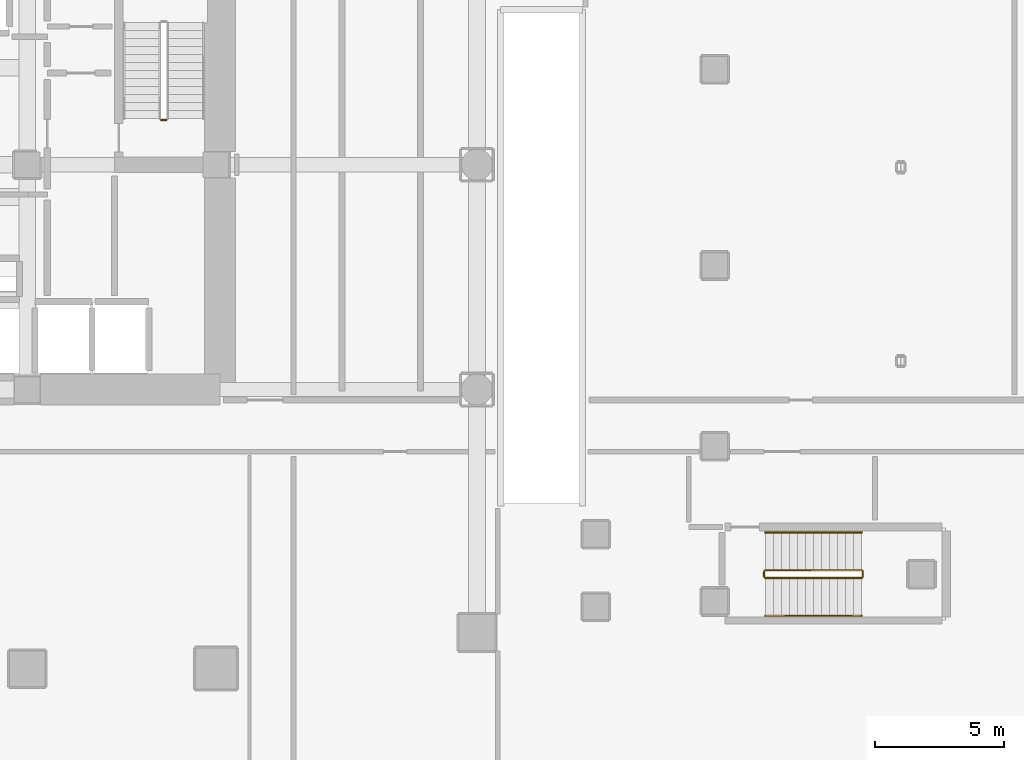
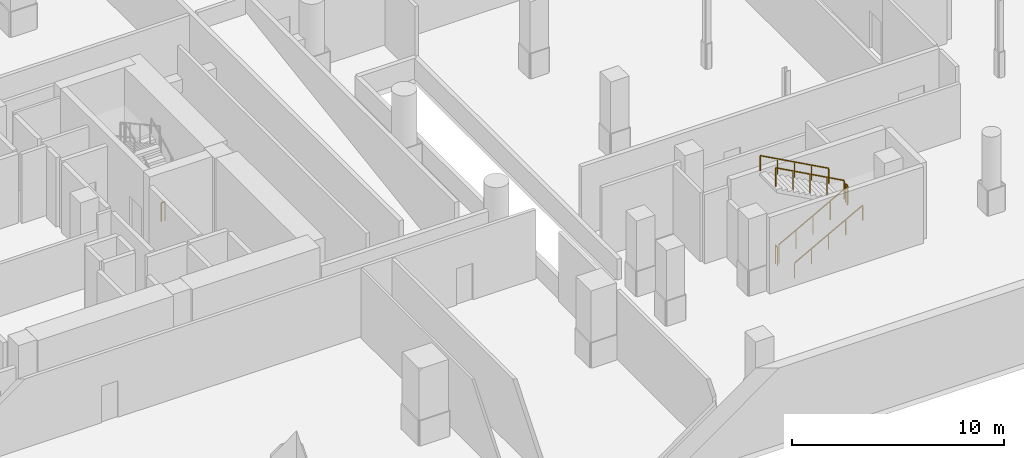
# One storey, part 20 of 22: 7 railings.
"""IFC4 building model written with IfcOpenShell, lengths in metres."""

from ifc_helpers import new_model, si_unit, direction, frame, origin, origin_2d, place, context, subcontext, project, spatial, rectangle, extrude, material, type_object, element, save


model = new_model("IFC4")

# Units and contexts
model_context = context("Model", 3, precision=1e-05, world=origin(), true_north=direction((0.0, 1.0)))
body_context = subcontext(model_context, "Body", "Model", "MODEL_VIEW")
ifc_project = project(units=[si_unit("LENGTHUNIT", "METRE"), si_unit("AREAUNIT", "SQUARE_METRE"), si_unit("VOLUMEUNIT", "CUBIC_METRE"), si_unit("PLANEANGLEUNIT", "RADIAN"), si_unit("MASSUNIT", "GRAM", prefix="KILO")], contexts=[model_context])

# Site, building, storey
site_placement = place(None, origin())
site = spatial("IfcSite", under=ifc_project, at=site_placement, CompositionType="ELEMENT")
building_placement = place(site_placement, origin())
building = spatial("IfcBuilding", under=site, at=building_placement, Name="Solanera Arch Residences", CompositionType="ELEMENT")
storey_placement = place(building_placement, frame((0.0, 0.0, -4.39990234375)))
storey = spatial("IfcBuildingStorey", under=building, at=storey_placement, Name="B01", CompositionType="ELEMENT", Elevation=-4.39990234375)

# Railings
ifc_material_1 = material(Name="Steel S355 (ASTM A992 / A572 Grade 50)", Category="steel")
railing_type_1 = type_object("IfcRailingType", Name="Stair Guardrail GR-1100", PredefinedType="GUARDRAIL", material=ifc_material_1)
railing_1_placement = place(storey_placement, frame((34.580078125, 32.429931640625, -0.01513671875)))
element("IfcRailing", 1, at=railing_1_placement, inside=storey, type_object=railing_type_1, Name="B01 ST-T2 stair guard 4", PredefinedType="GUARDRAIL", context=body_context, shape_type="SweptSolid", body=[
    extrude(rectangle(XDim=0.048095703125, YDim=0.048095703125, at=origin_2d()), frame((0.0, 0.0, 1.076171875), z_axis=(-1.0, 0.0, 0.0), x_axis=(0.0, -1.0, 0.0)), (0.0, 0.0, 1.0), 0.2001953125),
    extrude(rectangle(XDim=0.0419921875, YDim=0.0419921875, at=origin_2d()), origin(), (0.0, 0.0, 1.0), 1.052001953125),
    extrude(rectangle(XDim=0.0419921875, YDim=0.0419921875, at=origin_2d()), frame((-0.2001953125, 0.0, 0.0)), (0.0, 0.0, 1.0), 1.052001953125),
])
railing_2_placement = place(storey_placement, frame((57.760009765625, 14.7099609375, 0.154052734375)))
element("IfcRailing", 2, at=railing_2_placement, inside=storey, type_object=railing_type_1, Name="B01 ST-H1 stair guard 1", PredefinedType="GUARDRAIL", context=body_context, shape_type="SweptSolid", body=[
    extrude(rectangle(XDim=0.048095703125, YDim=0.048095703125, at=origin_2d()), frame((0.0, 0.0, 1.076171875), z_axis=(0.877728207833, 0.0, 0.479158839191), x_axis=(0.0, 1.0, 0.0)), (0.0, 0.0, 1.0), 4.23828125),
    extrude(rectangle(XDim=0.0419921875, YDim=0.0419921875, at=origin_2d()), origin(), (0.0, 0.0, 1.0), 1.052001953125),
    extrude(rectangle(XDim=0.0419921875, YDim=0.0419921875, at=origin_2d()), frame((0.929931640625, 0.0, 0.5078125)), (0.0, 0.0, 1.0), 1.052001953125),
    extrude(rectangle(XDim=0.0419921875, YDim=0.0419921875, at=origin_2d()), frame((1.85986328125, 0.0, 1.015380859375)), (0.0, 0.0, 1.0), 1.052001953125),
    extrude(rectangle(XDim=0.0419921875, YDim=0.0419921875, at=origin_2d()), frame((2.7900390625, 0.0, 1.52294921875)), (0.0, 0.0, 1.0), 1.052001953125),
    extrude(rectangle(XDim=0.0419921875, YDim=0.0419921875, at=origin_2d()), frame((3.719970703125, 0.0, 2.03076171875)), (0.0, 0.0, 1.0), 1.052001953125),
])
railing_3_placement = place(storey_placement, frame((61.530029296875, 14.760009765625, 2.184814453125)))
element("IfcRailing", 3, at=railing_3_placement, inside=storey, type_object=railing_type_1, Name="B01 ST-H1 stair guard 2", PredefinedType="GUARDRAIL", context=body_context, shape_type="SweptSolid", body=[
    extrude(rectangle(XDim=0.048095703125, YDim=0.048095703125, at=origin_2d()), frame((0.0, 0.0, 1.076171875), z_axis=(0.0, 1.0, 0.0), x_axis=(-1.0, 0.0, 0.0)), (0.0, 0.0, 1.0), 0.199951171875),
    extrude(rectangle(XDim=0.0419921875, YDim=0.0419921875, at=origin_2d()), origin(), (0.0, 0.0, 1.0), 1.052001953125),
    extrude(rectangle(XDim=0.0419921875, YDim=0.0419921875, at=origin_2d()), frame((0.0, 0.199951171875, 0.0)), (0.0, 0.0, 1.0), 1.052001953125),
])
railing_4_placement = place(storey_placement, frame((61.47998046875, 15.010009765625, 2.35400390625)))
element("IfcRailing", 4, at=railing_4_placement, inside=storey, type_object=railing_type_1, Name="B01 ST-H1 stair guard 3", PredefinedType="GUARDRAIL", context=body_context, shape_type="SweptSolid", body=[
    extrude(rectangle(XDim=0.048095703125, YDim=0.048095703125, at=origin_2d()), frame((0.0, 0.0, 1.076171875), z_axis=(-0.877703980351, 0.0, 0.479203216679), x_axis=(0.0, -1.0, 0.0)), (0.0, 0.0, 1.0), 4.23828125),
    extrude(rectangle(XDim=0.0419921875, YDim=0.0419921875, at=origin_2d()), origin(), (0.0, 0.0, 1.0), 1.052001953125),
    extrude(rectangle(XDim=0.0419921875, YDim=0.0419921875, at=origin_2d()), frame((-0.929931640625, 0.0, 0.5078125)), (0.0, 0.0, 1.0), 1.052001953125),
    extrude(rectangle(XDim=0.0419921875, YDim=0.0419921875, at=origin_2d()), frame((-1.85986328125, 0.0, 1.015625)), (0.0, 0.0, 1.0), 1.052001953125),
    extrude(rectangle(XDim=0.0419921875, YDim=0.0419921875, at=origin_2d()), frame((-2.7900390625, 0.0, 1.523193359375)), (0.0, 0.0, 1.0), 1.052001953125),
    extrude(rectangle(XDim=0.0419921875, YDim=0.0419921875, at=origin_2d()), frame((-3.719970703125, 0.0, 2.031005859375)), (0.0, 0.0, 1.0), 1.052001953125),
])
railing_5_placement = place(storey_placement, frame((57.7099609375, 14.760009765625, -0.01513671875)))
element("IfcRailing", 5, at=railing_5_placement, inside=storey, type_object=railing_type_1, Name="B01 ST-H1 stair guard 4", PredefinedType="GUARDRAIL", context=body_context, shape_type="SweptSolid", body=[
    extrude(rectangle(XDim=0.048095703125, YDim=0.048095703125, at=origin_2d()), frame((0.0, 0.0, 1.076171875), z_axis=(0.0, 1.0, 0.0), x_axis=(-1.0, 0.0, 0.0)), (0.0, 0.0, 1.0), 0.199951171875),
    extrude(rectangle(XDim=0.0419921875, YDim=0.0419921875, at=origin_2d()), origin(), (0.0, 0.0, 1.0), 1.052001953125),
    extrude(rectangle(XDim=0.0419921875, YDim=0.0419921875, at=origin_2d()), frame((0.0, 0.199951171875, 0.0)), (0.0, 0.0, 1.0), 1.052001953125),
])
ifc_material_2 = material(Name="Steel S355 (ASTM A992 / A572 Grade 50)", Category="steel")
railing_type_2 = type_object("IfcRailingType", Name="Stair Wall Handrail HR-920", PredefinedType="HANDRAIL", material=ifc_material_2)
railing_6_placement = place(storey_placement, frame((57.760009765625, 13.25, 0.169189453125)))
element("IfcRailing", 6, at=railing_6_placement, inside=storey, type_object=railing_type_2, Name="B01 ST-H1 stair handrail 1", PredefinedType="HANDRAIL", context=body_context, shape_type="SweptSolid", body=[
    extrude(rectangle(XDim=0.048095703125, YDim=0.048095703125, at=origin_2d()), frame((0.0, 0.0, 0.8759765625), z_axis=(0.877728207833, 0.0, 0.479158839191), x_axis=(0.0, 1.0, 0.0)), (0.0, 0.0, 1.0), 4.23828125),
    extrude(rectangle(XDim=0.0419921875, YDim=0.0419921875, at=origin_2d()), origin(), (0.0, 0.0, 1.0), 0.851806640625),
    extrude(rectangle(XDim=0.0419921875, YDim=0.0419921875, at=origin_2d()), frame((0.929931640625, 0.0, 0.5078125)), (0.0, 0.0, 1.0), 0.851806640625),
    extrude(rectangle(XDim=0.0419921875, YDim=0.0419921875, at=origin_2d()), frame((1.85986328125, 0.0, 1.015380859375)), (0.0, 0.0, 1.0), 0.851806640625),
    extrude(rectangle(XDim=0.0419921875, YDim=0.0419921875, at=origin_2d()), frame((2.7900390625, 0.0, 1.52294921875)), (0.0, 0.0, 1.0), 0.851806640625),
    extrude(rectangle(XDim=0.0419921875, YDim=0.0419921875, at=origin_2d()), frame((3.719970703125, 0.0, 2.03076171875)), (0.0, 0.0, 1.0), 0.851806640625),
])
railing_7_placement = place(storey_placement, frame((61.47998046875, 16.469970703125, 2.369140625)))
element("IfcRailing", 7, at=railing_7_placement, inside=storey, type_object=railing_type_2, Name="B01 ST-H1 stair handrail 2", PredefinedType="HANDRAIL", context=body_context, shape_type="SweptSolid", body=[
    extrude(rectangle(XDim=0.048095703125, YDim=0.048095703125, at=origin_2d()), frame((0.0, 0.0, 0.8759765625), z_axis=(-0.877728207833, 0.0, 0.479158839191), x_axis=(0.0, -1.0, 0.0)), (0.0, 0.0, 1.0), 4.23828125),
    extrude(rectangle(XDim=0.0419921875, YDim=0.0419921875, at=origin_2d()), origin(), (0.0, 0.0, 1.0), 0.851806640625),
    extrude(rectangle(XDim=0.0419921875, YDim=0.0419921875, at=origin_2d()), frame((-0.929931640625, 0.0, 0.5078125)), (0.0, 0.0, 1.0), 0.851806640625),
    extrude(rectangle(XDim=0.0419921875, YDim=0.0419921875, at=origin_2d()), frame((-1.85986328125, 0.0, 1.015380859375)), (0.0, 0.0, 1.0), 0.851806640625),
    extrude(rectangle(XDim=0.0419921875, YDim=0.0419921875, at=origin_2d()), frame((-2.7900390625, 0.0, 1.52294921875)), (0.0, 0.0, 1.0), 0.851806640625),
    extrude(rectangle(XDim=0.0419921875, YDim=0.0419921875, at=origin_2d()), frame((-3.719970703125, 0.0, 2.03076171875)), (0.0, 0.0, 1.0), 0.851806640625),
])

save(model, "model.ifc")
